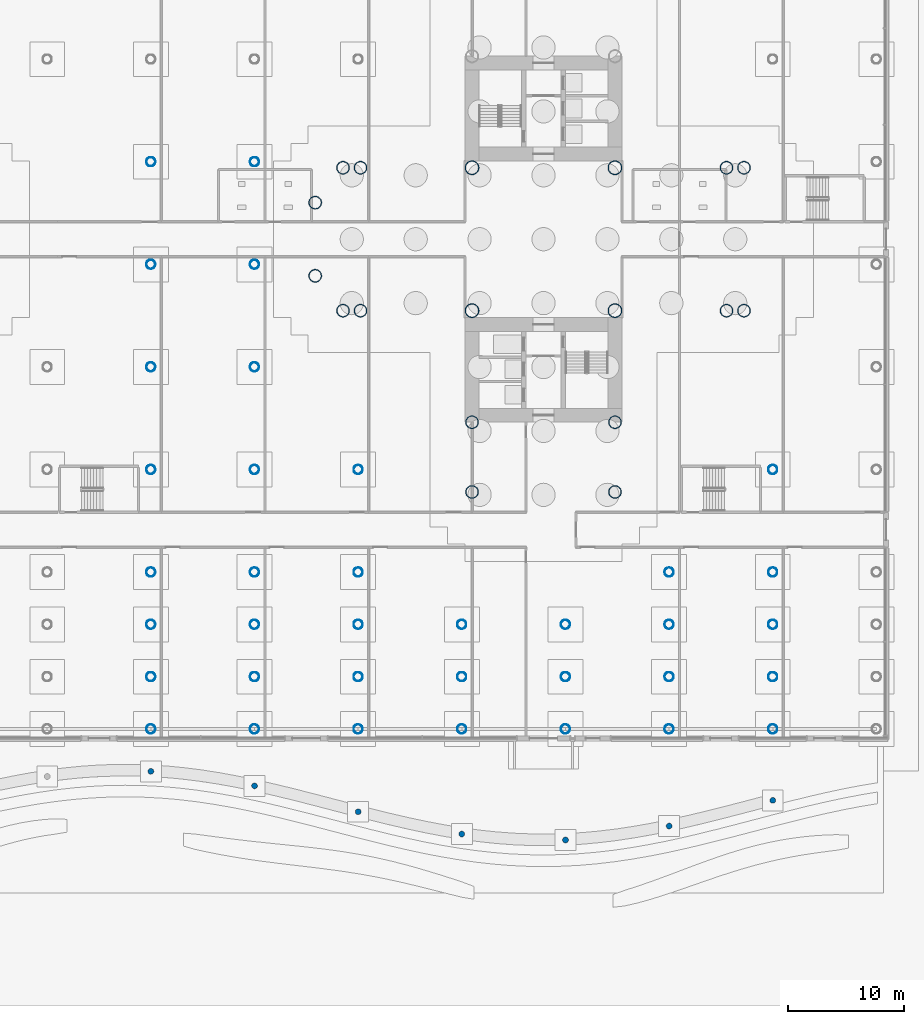
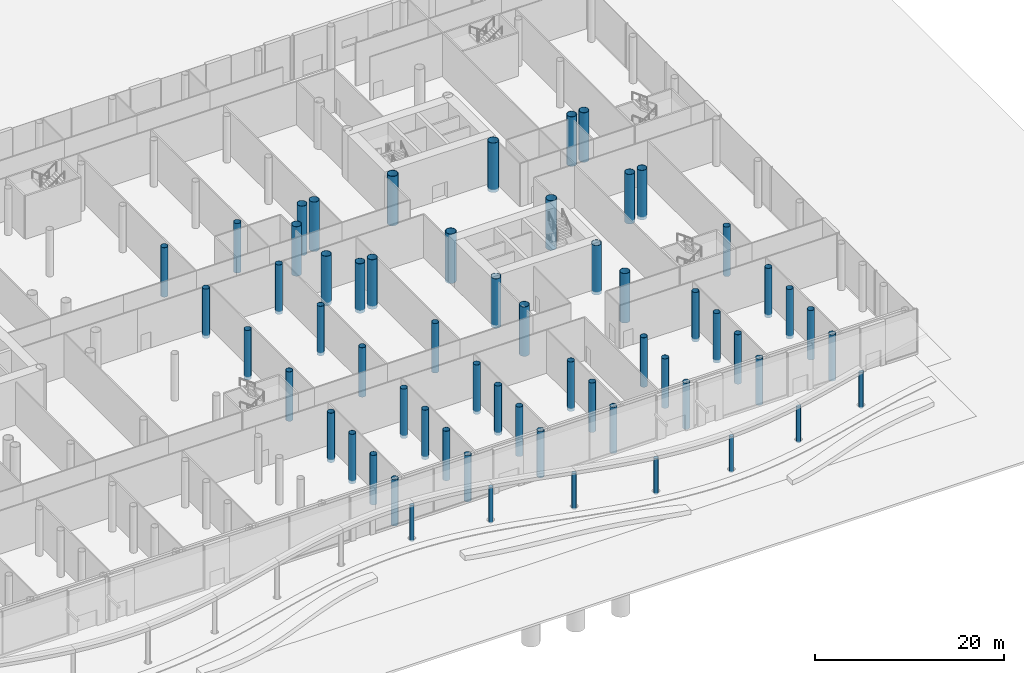
# One storey, part 3 of 75: 61 columns.
"""IFC4 building model written with IfcOpenShell, lengths in metres."""

from ifc_helpers import new_model, si_unit, direction, frame, origin, origin_2d, place, context, subcontext, project, spatial, circle, hollow_circle, extrude, material, material_profile, profile_set, type_object, element, save


model = new_model("IFC4")

# Units and contexts
model_context = context("Model", 3, precision=1e-05, world=origin(), true_north=direction((0.0, 1.0)))
body_context = subcontext(model_context, "Body", "Model", "MODEL_VIEW")
ifc_project = project(units=[si_unit("LENGTHUNIT", "METRE"), si_unit("AREAUNIT", "SQUARE_METRE"), si_unit("VOLUMEUNIT", "CUBIC_METRE"), si_unit("PLANEANGLEUNIT", "RADIAN"), si_unit("MASSUNIT", "GRAM", prefix="KILO")], contexts=[model_context])

# Site, building, storey
site_placement = place(None, origin())
site = spatial("IfcSite", under=ifc_project, at=site_placement, CompositionType="ELEMENT")
building_placement = place(site_placement, origin())
building = spatial("IfcBuilding", under=site, at=building_placement, Name="Ipe Terrace Towers", CompositionType="ELEMENT")
storey_placement = place(building_placement, origin())
storey = spatial("IfcBuildingStorey", under=building, at=storey_placement, Name="L00", CompositionType="ELEMENT", Elevation=0.0)

# Columns
ifc_material_1 = material(Name="Steel S355 tube with Concrete C60/75 fill", Category="concrete")
ifc_material_profile_1 = material_profile(ifc_material_1, hollow_circle(Radius=0.550048828125, WallThickness=0.0400390625, at=origin_2d()), Name="CHS-1100x40")
ifc_profile_set_1 = profile_set([ifc_material_profile_1], Name="Steel S355 tube with Concrete C60/75 fill")
column_type_1 = type_object("IfcColumnType", Name="CH02 COLUMN CHS-1100x40", PredefinedType="COLUMN", material=ifc_profile_set_1)
for number, where, z_axis, x_axis, name in (
    (1, (20.25, 6.14990234375, -0.39990234375), (0.0, 0.0, 1.0), (1.0, 0.0, 0.0), "Column T2-C-B03"),
    (2, (20.25, -6.14990234375, -0.39990234375), (0.0, 0.0, 1.0), (1.0, 0.0, 0.0), "Column T2-C-B04"),
    (3, (18.75, 6.14990234375, -0.39990234375), (0.0, 0.0, 1.0), (1.0, 0.0, 0.0), "Column T2-C-B05"),
    (4, (18.75, -6.14990234375, -0.39990234375), (0.0, 0.0, 1.0), (1.0, 0.0, 0.0), "Column T2-C-B06"),
    (5, (16.35009765625, 3.14990234375, -0.39990234375), (0.0, 0.0, 1.0), (1.0, 0.0, 0.0), "Column T2-C-B07"),
    (6, (16.35009765625, -3.14990234375, -0.39990234375), (0.0, 0.0, 1.0), (1.0, 0.0, 0.0), "Column T2-C-B08"),
    (7, (42.14990234375, -15.75, -0.39990234375), (0.0, 0.0, 1.0), (1.0, 0.0, 0.0), "Column T2-C-C01"),
    (8, (29.85009765625, -15.75, -0.39990234375), (0.0, 0.0, 1.0), (1.0, 0.0, 0.0), "Column T2-C-C02"),
    (9, (42.14990234375, -21.75, -0.39990234375), (0.0, 0.0, 1.0), (1.0, 0.0, 0.0), "Column T2-C-C03"),
    (10, (29.85009765625, -21.75, -0.39990234375), (0.0, 0.0, 1.0), (1.0, 0.0, 0.0), "Column T2-C-C04"),
    (11, (51.75, -6.14990234375, -0.39990234375), (0.0, 0.0, 1.0), (1.0, 0.0, 0.0), "Column T2-C-D03"),
    (12, (51.75, 6.14990234375, -0.39990234375), (0.0, 0.0, 1.0), (1.0, 0.0, 0.0), "Column T2-C-D04"),
    (13, (53.25, -6.14990234375, -0.39990234375), (0.0, 0.0, 1.0), (1.0, 0.0, 0.0), "Column T2-C-D05"),
    (14, (53.25, 6.14990234375, -0.39990234375), (0.0, 0.0, 1.0), (1.0, 0.0, 0.0), "Column T2-C-D06"),
):
    element("IfcColumn", number, at=place(storey_placement, frame(where, z_axis=z_axis, x_axis=x_axis)), inside=storey, type_object=column_type_1, Name=name, PredefinedType="COLUMN", context=body_context, shape_type="SweptSolid", body=[
        extrude(hollow_circle(Radius=0.550048828125, WallThickness=0.0400390625, at=origin_2d()), origin(), (0.0, 0.0, 1.0), 6.39990234375),
    ])
ifc_material_2 = material(Name="Steel S355 tube with Concrete C60/75 fill", Category="concrete")
ifc_material_profile_2 = material_profile(ifc_material_2, hollow_circle(Radius=0.60009765625, WallThickness=0.044921875, at=origin_2d()), Name="CHS-1200x45")
ifc_profile_set_2 = profile_set([ifc_material_profile_2], Name="Steel S355 tube with Concrete C60/75 fill")
column_type_2 = type_object("IfcColumnType", Name="CH03 COLUMN CHS-1200x45", PredefinedType="COLUMN", material=ifc_profile_set_2)
for number, where, z_axis, x_axis, name in (
    (15, (42.14990234375, -6.14990234375, -0.39990234375), (0.0, 0.0, 1.0), (1.0, 0.0, 0.0), "Column T2-C-E01"),
    (16, (42.14990234375, 6.14990234375, -0.39990234375), (0.0, 0.0, 1.0), (1.0, 0.0, 0.0), "Column T2-C-E02"),
    (17, (29.85009765625, 6.14990234375, -0.39990234375), (0.0, 0.0, 1.0), (1.0, 0.0, 0.0), "Column T2-C-E03"),
    (18, (29.85009765625, -6.14990234375, -0.39990234375), (0.0, 0.0, 1.0), (1.0, 0.0, 0.0), "Column T2-C-E04"),
):
    element("IfcColumn", number, at=place(storey_placement, frame(where, z_axis=z_axis, x_axis=x_axis)), inside=storey, type_object=column_type_2, Name=name, PredefinedType="COLUMN", context=body_context, shape_type="SweptSolid", body=[
        extrude(hollow_circle(Radius=0.60009765625, WallThickness=0.044921875, at=origin_2d()), origin(), (0.0, 0.0, 1.0), 6.39990234375),
    ])
ifc_material_3 = material(Name="Steel S355 tube with Concrete C60/75 fill", Category="concrete")
ifc_material_profile_3 = material_profile(ifc_material_3, hollow_circle(Radius=0.39990234375, WallThickness=0.028076171875, at=origin_2d()), Name="CHS-800x28")
ifc_profile_set_3 = profile_set([ifc_material_profile_3], Name="Steel S355 tube with Concrete C60/75 fill")
column_type_3 = type_object("IfcColumnType", Name="CH09 PODIUM COLUMN CHS-800x28", PredefinedType="COLUMN", material=ifc_profile_set_3)
for number, where, z_axis, x_axis, name in (
    (19, (2.2099609375, -42.14990234375, -0.39990234375), (0.0, 0.0, 1.0), (1.0, 0.0, 0.0), "Column PD-C-A09"),
    (20, (11.1298828125, -42.14990234375, -0.39990234375), (0.0, 0.0, 1.0), (1.0, 0.0, 0.0), "Column PD-C-A10"),
    (21, (20.050048828125, -42.14990234375, -0.39990234375), (0.0, 0.0, 1.0), (1.0, 0.0, 0.0), "Column PD-C-A11"),
    (22, (28.969970703125, -42.14990234375, -0.39990234375), (0.0, 0.0, 1.0), (1.0, 0.0, 0.0), "Column PD-C-A12"),
    (23, (37.889892578125, -42.14990234375, -0.39990234375), (0.0, 0.0, 1.0), (1.0, 0.0, 0.0), "Column PD-C-A13"),
    (24, (46.81005859375, -42.14990234375, -0.39990234375), (0.0, 0.0, 1.0), (1.0, 0.0, 0.0), "Column PD-C-A14"),
    (25, (55.72998046875, -42.14990234375, -0.39990234375), (0.0, 0.0, 1.0), (1.0, 0.0, 0.0), "Column PD-C-A15"),
):
    element("IfcColumn", number, at=place(storey_placement, frame(where, z_axis=z_axis, x_axis=x_axis)), inside=storey, type_object=column_type_3, Name=name, PredefinedType="COLUMN", context=body_context, shape_type="SweptSolid", body=[
        extrude(hollow_circle(Radius=0.39990234375, WallThickness=0.028076171875, at=origin_2d()), origin(), (0.0, 0.0, 1.0), 5.97998046875),
    ])
for number, where, z_axis, x_axis, name in (
    (26, (2.2099609375, -37.64990234375, -0.39990234375), (0.0, 0.0, 1.0), (1.0, 0.0, 0.0), "Column PD-C-B09"),
    (27, (11.1298828125, -37.64990234375, -0.39990234375), (0.0, 0.0, 1.0), (1.0, 0.0, 0.0), "Column PD-C-B10"),
    (28, (20.050048828125, -37.64990234375, -0.39990234375), (0.0, 0.0, 1.0), (1.0, 0.0, 0.0), "Column PD-C-B11"),
    (29, (28.969970703125, -37.64990234375, -0.39990234375), (0.0, 0.0, 1.0), (1.0, 0.0, 0.0), "Column PD-C-B12"),
    (30, (37.889892578125, -37.64990234375, -0.39990234375), (0.0, 0.0, 1.0), (1.0, 0.0, 0.0), "Column PD-C-B13"),
    (31, (46.81005859375, -37.64990234375, -0.39990234375), (0.0, 0.0, 1.0), (1.0, 0.0, 0.0), "Column PD-C-B14"),
    (32, (55.72998046875, -37.64990234375, -0.39990234375), (0.0, 0.0, 1.0), (1.0, 0.0, 0.0), "Column PD-C-B15"),
    (33, (2.2099609375, -33.14990234375, -0.39990234375), (0.0, 0.0, 1.0), (1.0, 0.0, 0.0), "Column PD-C-C09"),
    (34, (11.1298828125, -33.14990234375, -0.39990234375), (0.0, 0.0, 1.0), (1.0, 0.0, 0.0), "Column PD-C-C10"),
    (35, (20.050048828125, -33.14990234375, -0.39990234375), (0.0, 0.0, 1.0), (1.0, 0.0, 0.0), "Column PD-C-C11"),
    (36, (28.969970703125, -33.14990234375, -0.39990234375), (0.0, 0.0, 1.0), (1.0, 0.0, 0.0), "Column PD-C-C12"),
    (37, (37.889892578125, -33.14990234375, -0.39990234375), (0.0, 0.0, 1.0), (1.0, 0.0, 0.0), "Column PD-C-C13"),
    (38, (46.81005859375, -33.14990234375, -0.39990234375), (0.0, 0.0, 1.0), (1.0, 0.0, 0.0), "Column PD-C-C14"),
    (39, (55.72998046875, -33.14990234375, -0.39990234375), (0.0, 0.0, 1.0), (1.0, 0.0, 0.0), "Column PD-C-C15"),
    (40, (2.2099609375, -28.64990234375, -0.39990234375), (0.0, 0.0, 1.0), (1.0, 0.0, 0.0), "Column PD-C-D09"),
    (41, (11.1298828125, -28.64990234375, -0.39990234375), (0.0, 0.0, 1.0), (1.0, 0.0, 0.0), "Column PD-C-D10"),
    (42, (20.050048828125, -28.64990234375, -0.39990234375), (0.0, 0.0, 1.0), (1.0, 0.0, 0.0), "Column PD-C-D11"),
    (43, (46.81005859375, -28.64990234375, -0.39990234375), (0.0, 0.0, 1.0), (1.0, 0.0, 0.0), "Column PD-C-D14"),
    (44, (55.72998046875, -28.64990234375, -0.39990234375), (0.0, 0.0, 1.0), (1.0, 0.0, 0.0), "Column PD-C-D15"),
    (45, (2.2099609375, -19.821044921875, -0.39990234375), (0.0, 0.0, 1.0), (1.0, 0.0, 0.0), "Column PD-C-E09"),
    (46, (11.1298828125, -19.821044921875, -0.39990234375), (0.0, 0.0, 1.0), (1.0, 0.0, 0.0), "Column PD-C-E10"),
    (47, (20.050048828125, -19.821044921875, -0.39990234375), (0.0, 0.0, 1.0), (1.0, 0.0, 0.0), "Column PD-C-E11"),
    (48, (55.72998046875, -19.821044921875, -0.39990234375), (0.0, 0.0, 1.0), (1.0, 0.0, 0.0), "Column PD-C-E15"),
    (49, (2.2099609375, -10.992919921875, -0.39990234375), (0.0, 0.0, 1.0), (1.0, 0.0, 0.0), "Column PD-C-F09"),
    (50, (11.1298828125, -10.992919921875, -0.39990234375), (0.0, 0.0, 1.0), (1.0, 0.0, 0.0), "Column PD-C-F10"),
    (51, (2.2099609375, -2.1640625, -0.39990234375), (0.0, 0.0, 1.0), (1.0, 0.0, 0.0), "Column PD-C-G09"),
    (52, (11.1298828125, -2.1640625, -0.39990234375), (0.0, 0.0, 1.0), (1.0, 0.0, 0.0), "Column PD-C-G10"),
    (53, (2.2099609375, 6.6640625, -0.39990234375), (0.0, 0.0, 1.0), (1.0, 0.0, 0.0), "Column PD-C-H09"),
    (54, (11.1298828125, 6.6640625, -0.39990234375), (0.0, 0.0, 1.0), (1.0, 0.0, 0.0), "Column PD-C-H10"),
):
    element("IfcColumn", number, at=place(storey_placement, frame(where, z_axis=z_axis, x_axis=x_axis)), inside=storey, type_object=column_type_3, Name=name, PredefinedType="COLUMN", context=body_context, shape_type="SweptSolid", body=[
        extrude(hollow_circle(Radius=0.39990234375, WallThickness=0.028076171875, at=origin_2d()), origin(), (0.0, 0.0, 1.0), 6.39990234375),
    ])
ifc_material_4 = material(Name="Concrete C40/50", Category="concrete")
ifc_material_profile_4 = material_profile(ifc_material_4, circle(Radius=0.25, at=origin_2d()), Name="PILOTIS CONCRETE C40/50 CIRCULAR 500")
ifc_profile_set_4 = profile_set([ifc_material_profile_4], Name="Concrete C40/50")
column_type_4 = type_object("IfcColumnType", Name="PILOTIS CONCRETE C40/50 CIRCULAR 500", PredefinedType="COLUMN", material=ifc_profile_set_4)
for number, where, z_axis, x_axis, name in (
    (55, (2.2099609375, -45.7958984375, -0.300048828125), (0.0, 0.0, 1.0), (1.0, 0.0, 0.0), "Pilotis PIL08"),
    (56, (11.1298828125, -47.047119140625, -0.300048828125), (0.0, 0.0, 1.0), (1.0, 0.0, 0.0), "Pilotis PIL09"),
    (57, (20.050048828125, -49.27392578125, -0.300048828125), (0.0, 0.0, 1.0), (1.0, 0.0, 0.0), "Pilotis PIL10"),
    (58, (28.969970703125, -51.193115234375, -0.300048828125), (0.0, 0.0, 1.0), (1.0, 0.0, 0.0), "Pilotis PIL11"),
    (59, (37.889892578125, -51.698974609375, -0.300048828125), (0.0, 0.0, 1.0), (1.0, 0.0, 0.0), "Pilotis PIL12"),
    (60, (46.81005859375, -50.5009765625, -0.300048828125), (0.0, 0.0, 1.0), (1.0, 0.0, 0.0), "Pilotis PIL13"),
    (61, (55.72998046875, -48.2890625, -0.300048828125), (0.0, 0.0, 1.0), (1.0, 0.0, 0.0), "Pilotis PIL14"),
):
    element("IfcColumn", number, at=place(storey_placement, frame(where, z_axis=z_axis, x_axis=x_axis)), inside=storey, type_object=column_type_4, Name=name, PredefinedType="COLUMN", context=body_context, shape_type="SweptSolid", body=[
        extrude(circle(Radius=0.25, at=origin_2d()), origin(), (0.0, 0.0, 1.0), 4.650146484375),
    ])

save(model, "model.ifc")
